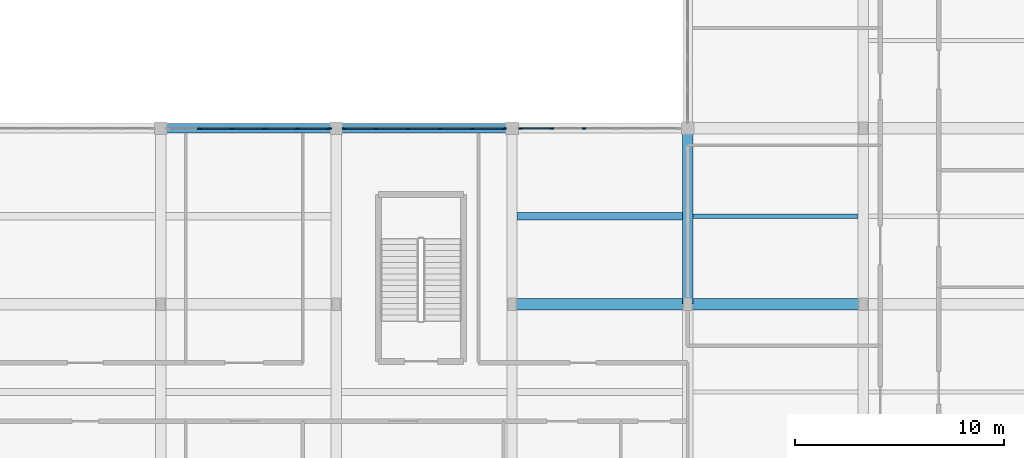
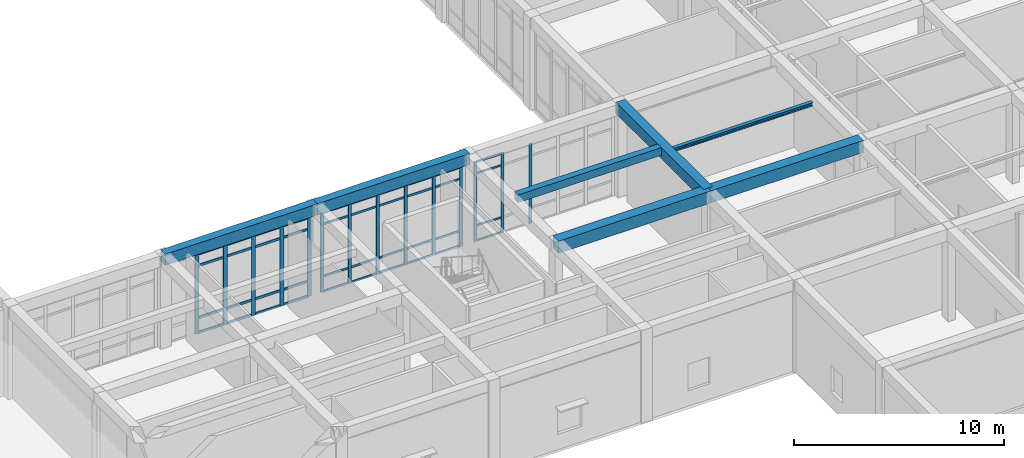
# One storey, part 46 of 157: 54 members, 7 beams, 3 elements without a shape of their own.
"""IFC4 building model written with IfcOpenShell, lengths in metres."""

from ifc_helpers import new_model, si_unit, direction, frame, origin, origin_2d, place, context, subcontext, project, spatial, rectangle, i_section, extrude, material, material_profile, profile_set, type_object, element, aggregate, save


model = new_model("IFC4")

# Units and contexts
model_context = context("Model", 3, precision=1e-05, world=origin(), true_north=direction((0.0, 1.0)))
body_context = subcontext(model_context, "Body", "Model", "MODEL_VIEW")
ifc_project = project(units=[si_unit("LENGTHUNIT", "METRE"), si_unit("AREAUNIT", "SQUARE_METRE"), si_unit("VOLUMEUNIT", "CUBIC_METRE"), si_unit("PLANEANGLEUNIT", "RADIAN"), si_unit("MASSUNIT", "GRAM", prefix="KILO")], contexts=[model_context])

# Site, building, storey
site_placement = place(None, origin())
site = spatial("IfcSite", under=ifc_project, at=site_placement, CompositionType="ELEMENT")
building_placement = place(site_placement, origin())
building = spatial("IfcBuilding", under=site, at=building_placement, Name="Varncliffe General Hospital", CompositionType="ELEMENT")
storey_placement = place(building_placement, frame((0.0, 0.0, 5.39990234375)))
storey = spatial("IfcBuildingStorey", under=building, at=storey_placement, Name="L01", CompositionType="ELEMENT", Elevation=5.39990234375)

# Beams
ifc_material_1 = material(Name="Concrete C35/45 (CSA A23.1 35 MPa)", Category="concrete")
ifc_material_profile_1 = material_profile(ifc_material_1, rectangle(XDim=0.5, YDim=0.64990234375, at=origin_2d()), Name="RC 500x650")
ifc_profile_set_1 = profile_set([ifc_material_profile_1], Name="Concrete C35/45 (CSA A23.1 35 MPa)")
beam_type_1 = type_object("IfcBeamType", Name="Beam B29 (Int RC 500x650)", PredefinedType="BEAM", material=ifc_profile_set_1)
beam_1_placement = place(storey_placement, frame((151.199951171875, 32.39990234375, 5.0751953125), z_axis=(0.0, 1.0, 0.0), x_axis=(-1.0, 0.0, 0.0)))
element("IfcBeam", 1, at=beam_1_placement, inside=storey, type_object=beam_type_1, Name="L01 Primary Beam B29-464", PredefinedType="BEAM", context=body_context, shape_type="SweptSolid", body=[
    extrude(rectangle(XDim=0.5, YDim=0.64990234375, at=origin_2d()), origin(), (0.0, 0.0, 1.0), 8.400146484375),
])
ifc_material_profile_2 = material_profile(ifc_material_1, rectangle(XDim=0.550048828125, YDim=0.699951171875, at=origin_2d()), Name="RC 550x700")
ifc_profile_set_2 = profile_set([ifc_material_profile_2], Name="Concrete C35/45 (CSA A23.1 35 MPa)")
beam_type_2 = type_object("IfcBeamType", Name="Beam B35 (Int RC 550x700)", PredefinedType="BEAM", material=ifc_profile_set_2)
beam_2_placement = place(storey_placement, frame((142.800048828125, 32.39990234375, 5.050048828125), z_axis=(1.0, 0.0, 0.0), x_axis=(0.0, 1.0, 0.0)))
element("IfcBeam", 2, at=beam_2_placement, inside=storey, type_object=beam_type_2, Name="L01 Primary Beam B35-49", PredefinedType="BEAM", context=body_context, shape_type="SweptSolid", body=[
    extrude(rectangle(XDim=0.550048828125, YDim=0.699951171875, at=origin_2d()), origin(), (0.0, 0.0, 1.0), 8.39990234375),
])
beam_3_placement = place(storey_placement, frame((151.199951171875, 32.39990234375, 5.050048828125), z_axis=(1.0, 0.0, 0.0), x_axis=(0.0, 1.0, 0.0)))
element("IfcBeam", 3, at=beam_3_placement, inside=storey, type_object=beam_type_2, Name="L01 Primary Beam B35-50", PredefinedType="BEAM", context=body_context, shape_type="SweptSolid", body=[
    extrude(rectangle(XDim=0.550048828125, YDim=0.699951171875, at=origin_2d()), origin(), (0.0, 0.0, 1.0), 8.400146484375),
])

# Curtain wall, members
ifc_material_2 = material(Name="Triple low-E argon insulated vision glazing", Category="glass")
curtain_wall_type_1 = type_object("IfcCurtainWallType", Name="Unitised Glazed Curtain Wall CW70 (7724x4640)", PredefinedType="USERDEFINED", material=ifc_material_2)
curtain_wall_1_placement = place(storey_placement, origin())
curtain_wall_1 = element("IfcCurtainWall", 4, at=curtain_wall_1_placement, inside=storey, type_object=curtain_wall_type_1, Name="L01 Glazed Curtain Wall CW70-61", ObjectType="GLAZED CURTAIN WALL", PredefinedType="USERDEFINED")
ifc_material_3 = material(Name="Dark bronze thermally broken aluminium framing", Category="aluminium")
ifc_material_profile_3 = material_profile(ifc_material_3, rectangle(XDim=0.074951171875, YDim=0.179931640625, at=origin_2d()), Name="ALU 75x180")
ifc_profile_set_3 = profile_set([ifc_material_profile_3], Name="Dark bronze thermally broken aluminium framing")
member_type_1 = type_object("IfcMemberType", Name="Curtain Wall Mullion CM44 (ALU 75x180)", PredefinedType="MULLION", material=ifc_profile_set_3)
member_1_placement = place(storey_placement, frame((134.775390625, 40.800048828125, 0.0), z_axis=(0.0, 0.0, 1.0), x_axis=(0.0, 1.0, 0.0)))
member_1 = element("IfcMember", 5, at=member_1_placement, type_object=member_type_1, Name="CW70 mullion 1", PredefinedType="MULLION", context=body_context, shape_type="SweptSolid", body=[
    extrude(rectangle(XDim=0.074951171875, YDim=0.179931640625, at=origin_2d()), origin(), (0.0, 0.0, 1.0), 4.64013671875),
])
member_2_placement = place(storey_placement, frame((136.28271484375, 40.800048828125, 0.0), z_axis=(0.0, 0.0, 1.0), x_axis=(0.0, 1.0, 0.0)))
member_2 = element("IfcMember", 6, at=member_2_placement, type_object=member_type_1, Name="CW70 mullion 2", PredefinedType="MULLION", context=body_context, shape_type="SweptSolid", body=[
    extrude(rectangle(XDim=0.074951171875, YDim=0.179931640625, at=origin_2d()), origin(), (0.0, 0.0, 1.0), 4.64013671875),
])
member_3_placement = place(storey_placement, frame((137.82763671875, 40.800048828125, 0.0), z_axis=(0.0, 0.0, 1.0), x_axis=(0.0, 1.0, 0.0)))
member_3 = element("IfcMember", 7, at=member_3_placement, type_object=member_type_1, Name="CW70 mullion 3", PredefinedType="MULLION", context=body_context, shape_type="SweptSolid", body=[
    extrude(rectangle(XDim=0.074951171875, YDim=0.179931640625, at=origin_2d()), origin(), (0.0, 0.0, 1.0), 4.64013671875),
])
member_4_placement = place(storey_placement, frame((139.372314453125, 40.800048828125, 0.0), z_axis=(0.0, 0.0, 1.0), x_axis=(0.0, 1.0, 0.0)))
member_4 = element("IfcMember", 8, at=member_4_placement, type_object=member_type_1, Name="CW70 mullion 4", PredefinedType="MULLION", context=body_context, shape_type="SweptSolid", body=[
    extrude(rectangle(XDim=0.074951171875, YDim=0.179931640625, at=origin_2d()), origin(), (0.0, 0.0, 1.0), 4.64013671875),
])
member_5_placement = place(storey_placement, frame((140.917236328125, 40.800048828125, 0.0), z_axis=(0.0, 0.0, 1.0), x_axis=(0.0, 1.0, 0.0)))
member_5 = element("IfcMember", 9, at=member_5_placement, type_object=member_type_1, Name="CW70 mullion 5", PredefinedType="MULLION", context=body_context, shape_type="SweptSolid", body=[
    extrude(rectangle(XDim=0.074951171875, YDim=0.179931640625, at=origin_2d()), origin(), (0.0, 0.0, 1.0), 4.64013671875),
])
member_6_placement = place(storey_placement, frame((142.424560546875, 40.800048828125, 0.0), z_axis=(0.0, 0.0, 1.0), x_axis=(0.0, 1.0, 0.0)))
member_6 = element("IfcMember", 10, at=member_6_placement, type_object=member_type_1, Name="CW70 mullion 6", PredefinedType="MULLION", context=body_context, shape_type="SweptSolid", body=[
    extrude(rectangle(XDim=0.074951171875, YDim=0.179931640625, at=origin_2d()), origin(), (0.0, 0.0, 1.0), 4.64013671875),
])

curtain_wall_type_2 = type_object("IfcCurtainWallType", Name="Unitised Glazed Curtain Wall CW27 (7644x4640)", PredefinedType="USERDEFINED", material=ifc_material_2)
curtain_wall_2_placement = place(storey_placement, origin())
curtain_wall_2 = element("IfcCurtainWall", 11, at=curtain_wall_2_placement, inside=storey, type_object=curtain_wall_type_2, Name="L01 Glazed Curtain Wall CW27-62", ObjectType="GLAZED CURTAIN WALL", PredefinedType="USERDEFINED")
ifc_material_profile_4 = material_profile(ifc_material_3, rectangle(XDim=0.06494140625, YDim=0.159912109375, at=origin_2d()), Name="ALU 65x160")
ifc_profile_set_4 = profile_set([ifc_material_profile_4], Name="Dark bronze thermally broken aluminium framing")
member_type_2 = type_object("IfcMemberType", Name="Curtain Wall Mullion CM65 (ALU 65x160)", PredefinedType="MULLION", material=ifc_profile_set_4)
member_7_placement = place(storey_placement, frame((143.21044921875, 40.800048828125, 0.0), z_axis=(0.0, 0.0, 1.0), x_axis=(0.0, 1.0, 0.0)))
member_7 = element("IfcMember", 12, at=member_7_placement, type_object=member_type_2, Name="CW27 mullion 1", PredefinedType="MULLION", context=body_context, shape_type="SweptSolid", body=[
    extrude(rectangle(XDim=0.06494140625, YDim=0.159912109375, at=origin_2d()), origin(), (0.0, 0.0, 1.0), 4.64013671875),
])
member_8_placement = place(storey_placement, frame((144.706787109375, 40.800048828125, 0.0), z_axis=(0.0, 0.0, 1.0), x_axis=(0.0, 1.0, 0.0)))
member_8 = element("IfcMember", 13, at=member_8_placement, type_object=member_type_2, Name="CW27 mullion 2", PredefinedType="MULLION", context=body_context, shape_type="SweptSolid", body=[
    extrude(rectangle(XDim=0.06494140625, YDim=0.159912109375, at=origin_2d()), origin(), (0.0, 0.0, 1.0), 4.64013671875),
])
member_9_placement = place(storey_placement, frame((146.235595703125, 40.800048828125, 0.0), z_axis=(0.0, 0.0, 1.0), x_axis=(0.0, 1.0, 0.0)))
member_9 = element("IfcMember", 14, at=member_9_placement, type_object=member_type_2, Name="CW27 mullion 3", PredefinedType="MULLION", context=body_context, shape_type="SweptSolid", body=[
    extrude(rectangle(XDim=0.06494140625, YDim=0.159912109375, at=origin_2d()), origin(), (0.0, 0.0, 1.0), 4.64013671875),
])

curtain_wall_type_3 = type_object("IfcCurtainWallType", Name="Unitised Glazed Curtain Wall CW85 (7804x4640)", PredefinedType="USERDEFINED", material=ifc_material_2)
curtain_wall_3_placement = place(storey_placement, origin())
curtain_wall_3 = element("IfcCurtainWall", 15, at=curtain_wall_3_placement, inside=storey, type_object=curtain_wall_type_3, Name="L01 Glazed Curtain Wall CW85-60", ObjectType="GLAZED CURTAIN WALL", PredefinedType="USERDEFINED")
ifc_material_profile_5 = material_profile(ifc_material_3, rectangle(XDim=0.074951171875, YDim=0.219970703125, at=origin_2d()), Name="ALU 75x220")
ifc_profile_set_5 = profile_set([ifc_material_profile_5], Name="Dark bronze thermally broken aluminium framing")
member_type_3 = type_object("IfcMemberType", Name="Curtain Wall Mullion CM74 (ALU 75x220)", PredefinedType="MULLION", material=ifc_profile_set_5)
member_10_placement = place(storey_placement, frame((127.85888671875, 40.800048828125, 0.0), z_axis=(0.0, 0.0, 1.0), x_axis=(0.0, 1.0, 0.0)))
member_10 = element("IfcMember", 16, at=member_10_placement, type_object=member_type_3, Name="CW85 mullion 2", PredefinedType="MULLION", context=body_context, shape_type="SweptSolid", body=[
    extrude(rectangle(XDim=0.074951171875, YDim=0.219970703125, at=origin_2d()), origin(), (0.0, 0.0, 1.0), 4.64013671875),
])
member_11_placement = place(storey_placement, frame((129.419677734375, 40.800048828125, 0.0), z_axis=(0.0, 0.0, 1.0), x_axis=(0.0, 1.0, 0.0)))
member_11 = element("IfcMember", 17, at=member_11_placement, type_object=member_type_3, Name="CW85 mullion 3", PredefinedType="MULLION", context=body_context, shape_type="SweptSolid", body=[
    extrude(rectangle(XDim=0.074951171875, YDim=0.219970703125, at=origin_2d()), origin(), (0.0, 0.0, 1.0), 4.64013671875),
])
member_12_placement = place(storey_placement, frame((130.98046875, 40.800048828125, 0.0), z_axis=(0.0, 0.0, 1.0), x_axis=(0.0, 1.0, 0.0)))
member_12 = element("IfcMember", 18, at=member_12_placement, type_object=member_type_3, Name="CW85 mullion 4", PredefinedType="MULLION", context=body_context, shape_type="SweptSolid", body=[
    extrude(rectangle(XDim=0.074951171875, YDim=0.219970703125, at=origin_2d()), origin(), (0.0, 0.0, 1.0), 4.64013671875),
])
member_13_placement = place(storey_placement, frame((132.541259765625, 40.800048828125, 0.0), z_axis=(0.0, 0.0, 1.0), x_axis=(0.0, 1.0, 0.0)))
member_13 = element("IfcMember", 19, at=member_13_placement, type_object=member_type_3, Name="CW85 mullion 5", PredefinedType="MULLION", context=body_context, shape_type="SweptSolid", body=[
    extrude(rectangle(XDim=0.074951171875, YDim=0.219970703125, at=origin_2d()), origin(), (0.0, 0.0, 1.0), 4.64013671875),
])
member_14_placement = place(storey_placement, frame((134.064453125, 40.800048828125, 0.0), z_axis=(0.0, 0.0, 1.0), x_axis=(0.0, 1.0, 0.0)))
member_14 = element("IfcMember", 20, at=member_14_placement, type_object=member_type_3, Name="CW85 mullion 6", PredefinedType="MULLION", context=body_context, shape_type="SweptSolid", body=[
    extrude(rectangle(XDim=0.074951171875, YDim=0.219970703125, at=origin_2d()), origin(), (0.0, 0.0, 1.0), 4.64013671875),
])

# Member
ifc_material_profile_6 = material_profile(ifc_material_3, rectangle(XDim=0.06005859375, YDim=0.1201171875, at=origin_2d()), Name="ALU 60x120")
ifc_profile_set_6 = profile_set([ifc_material_profile_6], Name="Dark bronze thermally broken aluminium framing")
member_type_4 = type_object("IfcMemberType", Name="Curtain Wall Transom CT14 (ALU 60x120)", PredefinedType="USERDEFINED", material=ifc_profile_set_6)
member_15_placement = place(storey_placement, frame((134.81298828125, 40.800048828125, 0.030029296875), z_axis=(1.0, 0.0, 0.0), x_axis=(0.0, 1.0, 0.0)))
member_15 = element("IfcMember", 21, at=member_15_placement, type_object=member_type_4, Name="CW70 transom 1.1", ObjectType="TRANSOM", PredefinedType="USERDEFINED", context=body_context, shape_type="SweptSolid", body=[
    extrude(rectangle(XDim=0.06005859375, YDim=0.1201171875, at=origin_2d()), origin(), (0.0, 0.0, 1.0), 1.432373046875),
])

member_16_placement = place(storey_placement, frame((134.81298828125, 40.800048828125, 0.900146484375), z_axis=(1.0, 0.0, 0.0), x_axis=(0.0, 1.0, 0.0)))
member_16 = element("IfcMember", 22, at=member_16_placement, type_object=member_type_4, Name="CW70 transom 1.2", ObjectType="TRANSOM", PredefinedType="USERDEFINED", context=body_context, shape_type="SweptSolid", body=[
    extrude(rectangle(XDim=0.06005859375, YDim=0.1201171875, at=origin_2d()), origin(), (0.0, 0.0, 1.0), 1.432373046875),
])

member_17_placement = place(storey_placement, frame((134.81298828125, 40.800048828125, 3.940185546875), z_axis=(1.0, 0.0, 0.0), x_axis=(0.0, 1.0, 0.0)))
member_17 = element("IfcMember", 23, at=member_17_placement, type_object=member_type_4, Name="CW70 transom 1.3", ObjectType="TRANSOM", PredefinedType="USERDEFINED", context=body_context, shape_type="SweptSolid", body=[
    extrude(rectangle(XDim=0.06005859375, YDim=0.1201171875, at=origin_2d()), origin(), (0.0, 0.0, 1.0), 1.432373046875),
])

member_18_placement = place(storey_placement, frame((134.81298828125, 40.800048828125, 4.610107421875), z_axis=(1.0, 0.0, 0.0), x_axis=(0.0, 1.0, 0.0)))
member_18 = element("IfcMember", 24, at=member_18_placement, type_object=member_type_4, Name="CW70 transom 1.4", ObjectType="TRANSOM", PredefinedType="USERDEFINED", context=body_context, shape_type="SweptSolid", body=[
    extrude(rectangle(XDim=0.06005859375, YDim=0.1201171875, at=origin_2d()), origin(), (0.0, 0.0, 1.0), 1.432373046875),
])

member_19_placement = place(storey_placement, frame((136.3203125, 40.800048828125, 0.030029296875), z_axis=(1.0, 0.0, 0.0), x_axis=(0.0, 1.0, 0.0)))
member_19 = element("IfcMember", 25, at=member_19_placement, type_object=member_type_4, Name="CW70 transom 2.1", ObjectType="TRANSOM", PredefinedType="USERDEFINED", context=body_context, shape_type="SweptSolid", body=[
    extrude(rectangle(XDim=0.06005859375, YDim=0.1201171875, at=origin_2d()), origin(), (0.0, 0.0, 1.0), 1.4697265625),
])

member_20_placement = place(storey_placement, frame((136.3203125, 40.800048828125, 0.900146484375), z_axis=(1.0, 0.0, 0.0), x_axis=(0.0, 1.0, 0.0)))
member_20 = element("IfcMember", 26, at=member_20_placement, type_object=member_type_4, Name="CW70 transom 2.2", ObjectType="TRANSOM", PredefinedType="USERDEFINED", context=body_context, shape_type="SweptSolid", body=[
    extrude(rectangle(XDim=0.06005859375, YDim=0.1201171875, at=origin_2d()), origin(), (0.0, 0.0, 1.0), 1.4697265625),
])

member_21_placement = place(storey_placement, frame((136.3203125, 40.800048828125, 3.940185546875), z_axis=(1.0, 0.0, 0.0), x_axis=(0.0, 1.0, 0.0)))
member_21 = element("IfcMember", 27, at=member_21_placement, type_object=member_type_4, Name="CW70 transom 2.3", ObjectType="TRANSOM", PredefinedType="USERDEFINED", context=body_context, shape_type="SweptSolid", body=[
    extrude(rectangle(XDim=0.06005859375, YDim=0.1201171875, at=origin_2d()), origin(), (0.0, 0.0, 1.0), 1.4697265625),
])

member_22_placement = place(storey_placement, frame((136.3203125, 40.800048828125, 4.610107421875), z_axis=(1.0, 0.0, 0.0), x_axis=(0.0, 1.0, 0.0)))
member_22 = element("IfcMember", 28, at=member_22_placement, type_object=member_type_4, Name="CW70 transom 2.4", ObjectType="TRANSOM", PredefinedType="USERDEFINED", context=body_context, shape_type="SweptSolid", body=[
    extrude(rectangle(XDim=0.06005859375, YDim=0.1201171875, at=origin_2d()), origin(), (0.0, 0.0, 1.0), 1.4697265625),
])

member_23_placement = place(storey_placement, frame((137.864990234375, 40.800048828125, 0.030029296875), z_axis=(1.0, 0.0, 0.0), x_axis=(0.0, 1.0, 0.0)))
member_23 = element("IfcMember", 29, at=member_23_placement, type_object=member_type_4, Name="CW70 transom 3.1", ObjectType="TRANSOM", PredefinedType="USERDEFINED", context=body_context, shape_type="SweptSolid", body=[
    extrude(rectangle(XDim=0.06005859375, YDim=0.1201171875, at=origin_2d()), origin(), (0.0, 0.0, 1.0), 1.469970703125),
])

member_24_placement = place(storey_placement, frame((137.864990234375, 40.800048828125, 0.900146484375), z_axis=(1.0, 0.0, 0.0), x_axis=(0.0, 1.0, 0.0)))
member_24 = element("IfcMember", 30, at=member_24_placement, type_object=member_type_4, Name="CW70 transom 3.2", ObjectType="TRANSOM", PredefinedType="USERDEFINED", context=body_context, shape_type="SweptSolid", body=[
    extrude(rectangle(XDim=0.06005859375, YDim=0.1201171875, at=origin_2d()), origin(), (0.0, 0.0, 1.0), 1.469970703125),
])

member_25_placement = place(storey_placement, frame((137.864990234375, 40.800048828125, 3.940185546875), z_axis=(1.0, 0.0, 0.0), x_axis=(0.0, 1.0, 0.0)))
member_25 = element("IfcMember", 31, at=member_25_placement, type_object=member_type_4, Name="CW70 transom 3.3", ObjectType="TRANSOM", PredefinedType="USERDEFINED", context=body_context, shape_type="SweptSolid", body=[
    extrude(rectangle(XDim=0.06005859375, YDim=0.1201171875, at=origin_2d()), origin(), (0.0, 0.0, 1.0), 1.469970703125),
])

member_26_placement = place(storey_placement, frame((137.864990234375, 40.800048828125, 4.610107421875), z_axis=(1.0, 0.0, 0.0), x_axis=(0.0, 1.0, 0.0)))
member_26 = element("IfcMember", 32, at=member_26_placement, type_object=member_type_4, Name="CW70 transom 3.4", ObjectType="TRANSOM", PredefinedType="USERDEFINED", context=body_context, shape_type="SweptSolid", body=[
    extrude(rectangle(XDim=0.06005859375, YDim=0.1201171875, at=origin_2d()), origin(), (0.0, 0.0, 1.0), 1.469970703125),
])

member_27_placement = place(storey_placement, frame((139.409912109375, 40.800048828125, 0.030029296875), z_axis=(1.0, 0.0, 0.0), x_axis=(0.0, 1.0, 0.0)))
member_27 = element("IfcMember", 33, at=member_27_placement, type_object=member_type_4, Name="CW70 transom 4.1", ObjectType="TRANSOM", PredefinedType="USERDEFINED", context=body_context, shape_type="SweptSolid", body=[
    extrude(rectangle(XDim=0.06005859375, YDim=0.1201171875, at=origin_2d()), origin(), (0.0, 0.0, 1.0), 1.4697265625),
])

member_28_placement = place(storey_placement, frame((139.409912109375, 40.800048828125, 0.900146484375), z_axis=(1.0, 0.0, 0.0), x_axis=(0.0, 1.0, 0.0)))
member_28 = element("IfcMember", 34, at=member_28_placement, type_object=member_type_4, Name="CW70 transom 4.2", ObjectType="TRANSOM", PredefinedType="USERDEFINED", context=body_context, shape_type="SweptSolid", body=[
    extrude(rectangle(XDim=0.06005859375, YDim=0.1201171875, at=origin_2d()), origin(), (0.0, 0.0, 1.0), 1.4697265625),
])

member_29_placement = place(storey_placement, frame((139.409912109375, 40.800048828125, 3.940185546875), z_axis=(1.0, 0.0, 0.0), x_axis=(0.0, 1.0, 0.0)))
member_29 = element("IfcMember", 35, at=member_29_placement, type_object=member_type_4, Name="CW70 transom 4.3", ObjectType="TRANSOM", PredefinedType="USERDEFINED", context=body_context, shape_type="SweptSolid", body=[
    extrude(rectangle(XDim=0.06005859375, YDim=0.1201171875, at=origin_2d()), origin(), (0.0, 0.0, 1.0), 1.4697265625),
])

member_30_placement = place(storey_placement, frame((139.409912109375, 40.800048828125, 4.610107421875), z_axis=(1.0, 0.0, 0.0), x_axis=(0.0, 1.0, 0.0)))
member_30 = element("IfcMember", 36, at=member_30_placement, type_object=member_type_4, Name="CW70 transom 4.4", ObjectType="TRANSOM", PredefinedType="USERDEFINED", context=body_context, shape_type="SweptSolid", body=[
    extrude(rectangle(XDim=0.06005859375, YDim=0.1201171875, at=origin_2d()), origin(), (0.0, 0.0, 1.0), 1.4697265625),
])

member_31_placement = place(storey_placement, frame((140.95458984375, 40.800048828125, 0.030029296875), z_axis=(1.0, 0.0, 0.0), x_axis=(0.0, 1.0, 0.0)))
member_31 = element("IfcMember", 37, at=member_31_placement, type_object=member_type_4, Name="CW70 transom 5.1", ObjectType="TRANSOM", PredefinedType="USERDEFINED", context=body_context, shape_type="SweptSolid", body=[
    extrude(rectangle(XDim=0.06005859375, YDim=0.1201171875, at=origin_2d()), origin(), (0.0, 0.0, 1.0), 1.432373046875),
])

member_32_placement = place(storey_placement, frame((140.95458984375, 40.800048828125, 0.900146484375), z_axis=(1.0, 0.0, 0.0), x_axis=(0.0, 1.0, 0.0)))
member_32 = element("IfcMember", 38, at=member_32_placement, type_object=member_type_4, Name="CW70 transom 5.2", ObjectType="TRANSOM", PredefinedType="USERDEFINED", context=body_context, shape_type="SweptSolid", body=[
    extrude(rectangle(XDim=0.06005859375, YDim=0.1201171875, at=origin_2d()), origin(), (0.0, 0.0, 1.0), 1.432373046875),
])

member_33_placement = place(storey_placement, frame((140.95458984375, 40.800048828125, 3.940185546875), z_axis=(1.0, 0.0, 0.0), x_axis=(0.0, 1.0, 0.0)))
member_33 = element("IfcMember", 39, at=member_33_placement, type_object=member_type_4, Name="CW70 transom 5.3", ObjectType="TRANSOM", PredefinedType="USERDEFINED", context=body_context, shape_type="SweptSolid", body=[
    extrude(rectangle(XDim=0.06005859375, YDim=0.1201171875, at=origin_2d()), origin(), (0.0, 0.0, 1.0), 1.432373046875),
])

member_34_placement = place(storey_placement, frame((140.95458984375, 40.800048828125, 4.610107421875), z_axis=(1.0, 0.0, 0.0), x_axis=(0.0, 1.0, 0.0)))
member_34 = element("IfcMember", 40, at=member_34_placement, type_object=member_type_4, Name="CW70 transom 5.4", ObjectType="TRANSOM", PredefinedType="USERDEFINED", context=body_context, shape_type="SweptSolid", body=[
    extrude(rectangle(XDim=0.06005859375, YDim=0.1201171875, at=origin_2d()), origin(), (0.0, 0.0, 1.0), 1.432373046875),
])

aggregate(curtain_wall_1, [member_1, member_2, member_3, member_4, member_5, member_6, member_15, member_16, member_17, member_18, member_19, member_20, member_21, member_22, member_23, member_24, member_25, member_26, member_27, member_28, member_29, member_30, member_31, member_32, member_33, member_34])

ifc_material_profile_7 = material_profile(ifc_material_3, rectangle(XDim=0.06005859375, YDim=0.10009765625, at=origin_2d()), Name="ALU 60x100")
ifc_profile_set_7 = profile_set([ifc_material_profile_7], Name="Dark bronze thermally broken aluminium framing")
member_type_5 = type_object("IfcMemberType", Name="Curtain Wall Transom CT18 (ALU 60x100)", PredefinedType="USERDEFINED", material=ifc_profile_set_7)
member_35_placement = place(storey_placement, frame((143.242919921875, 40.800048828125, 0.030029296875), z_axis=(1.0, 0.0, 0.0), x_axis=(0.0, 1.0, 0.0)))
member_35 = element("IfcMember", 41, at=member_35_placement, type_object=member_type_5, Name="CW27 transom 1.1", ObjectType="TRANSOM", PredefinedType="USERDEFINED", context=body_context, shape_type="SweptSolid", body=[
    extrude(rectangle(XDim=0.06005859375, YDim=0.10009765625, at=origin_2d()), origin(), (0.0, 0.0, 1.0), 1.431396484375),
])

member_36_placement = place(storey_placement, frame((143.242919921875, 40.800048828125, 0.900146484375), z_axis=(1.0, 0.0, 0.0), x_axis=(0.0, 1.0, 0.0)))
member_36 = element("IfcMember", 42, at=member_36_placement, type_object=member_type_5, Name="CW27 transom 1.2", ObjectType="TRANSOM", PredefinedType="USERDEFINED", context=body_context, shape_type="SweptSolid", body=[
    extrude(rectangle(XDim=0.06005859375, YDim=0.10009765625, at=origin_2d()), origin(), (0.0, 0.0, 1.0), 1.431396484375),
])

member_37_placement = place(storey_placement, frame((143.242919921875, 40.800048828125, 3.940185546875), z_axis=(1.0, 0.0, 0.0), x_axis=(0.0, 1.0, 0.0)))
member_37 = element("IfcMember", 43, at=member_37_placement, type_object=member_type_5, Name="CW27 transom 1.3", ObjectType="TRANSOM", PredefinedType="USERDEFINED", context=body_context, shape_type="SweptSolid", body=[
    extrude(rectangle(XDim=0.06005859375, YDim=0.10009765625, at=origin_2d()), origin(), (0.0, 0.0, 1.0), 1.431396484375),
])

member_38_placement = place(storey_placement, frame((143.242919921875, 40.800048828125, 4.610107421875), z_axis=(1.0, 0.0, 0.0), x_axis=(0.0, 1.0, 0.0)))
member_38 = element("IfcMember", 44, at=member_38_placement, type_object=member_type_5, Name="CW27 transom 1.4", ObjectType="TRANSOM", PredefinedType="USERDEFINED", context=body_context, shape_type="SweptSolid", body=[
    extrude(rectangle(XDim=0.06005859375, YDim=0.10009765625, at=origin_2d()), origin(), (0.0, 0.0, 1.0), 1.431396484375),
])

aggregate(curtain_wall_2, [member_7, member_8, member_9, member_35, member_36, member_37, member_38])

ifc_material_profile_8 = material_profile(ifc_material_3, rectangle(XDim=0.06494140625, YDim=0.139892578125, at=origin_2d()), Name="ALU 65x140")
ifc_profile_set_8 = profile_set([ifc_material_profile_8], Name="Dark bronze thermally broken aluminium framing")
member_type_6 = type_object("IfcMemberType", Name="Curtain Wall Transom CT69 (ALU 65x140)", PredefinedType="USERDEFINED", material=ifc_profile_set_8)
member_39_placement = place(storey_placement, frame((127.896240234375, 40.800048828125, 0.03271484375), z_axis=(1.0, 0.0, 0.0), x_axis=(0.0, 1.0, 0.0)))
member_39 = element("IfcMember", 45, at=member_39_placement, type_object=member_type_6, Name="CW85 transom 2.1", ObjectType="TRANSOM", PredefinedType="USERDEFINED", context=body_context, shape_type="SweptSolid", body=[
    extrude(rectangle(XDim=0.06494140625, YDim=0.139892578125, at=origin_2d()), origin(), (0.0, 0.0, 1.0), 1.48583984375),
])

member_40_placement = place(storey_placement, frame((127.896240234375, 40.800048828125, 0.900146484375), z_axis=(1.0, 0.0, 0.0), x_axis=(0.0, 1.0, 0.0)))
member_40 = element("IfcMember", 46, at=member_40_placement, type_object=member_type_6, Name="CW85 transom 2.2", ObjectType="TRANSOM", PredefinedType="USERDEFINED", context=body_context, shape_type="SweptSolid", body=[
    extrude(rectangle(XDim=0.06494140625, YDim=0.139892578125, at=origin_2d()), origin(), (0.0, 0.0, 1.0), 1.48583984375),
])

member_41_placement = place(storey_placement, frame((127.896240234375, 40.800048828125, 3.940185546875), z_axis=(1.0, 0.0, 0.0), x_axis=(0.0, 1.0, 0.0)))
member_41 = element("IfcMember", 47, at=member_41_placement, type_object=member_type_6, Name="CW85 transom 2.3", ObjectType="TRANSOM", PredefinedType="USERDEFINED", context=body_context, shape_type="SweptSolid", body=[
    extrude(rectangle(XDim=0.06494140625, YDim=0.139892578125, at=origin_2d()), origin(), (0.0, 0.0, 1.0), 1.48583984375),
])

member_42_placement = place(storey_placement, frame((127.896240234375, 40.800048828125, 4.607666015625), z_axis=(1.0, 0.0, 0.0), x_axis=(0.0, 1.0, 0.0)))
member_42 = element("IfcMember", 48, at=member_42_placement, type_object=member_type_6, Name="CW85 transom 2.4", ObjectType="TRANSOM", PredefinedType="USERDEFINED", context=body_context, shape_type="SweptSolid", body=[
    extrude(rectangle(XDim=0.06494140625, YDim=0.139892578125, at=origin_2d()), origin(), (0.0, 0.0, 1.0), 1.48583984375),
])

member_43_placement = place(storey_placement, frame((129.45703125, 40.800048828125, 0.03271484375), z_axis=(1.0, 0.0, 0.0), x_axis=(0.0, 1.0, 0.0)))
member_43 = element("IfcMember", 49, at=member_43_placement, type_object=member_type_6, Name="CW85 transom 3.1", ObjectType="TRANSOM", PredefinedType="USERDEFINED", context=body_context, shape_type="SweptSolid", body=[
    extrude(rectangle(XDim=0.06494140625, YDim=0.139892578125, at=origin_2d()), origin(), (0.0, 0.0, 1.0), 1.48583984375),
])

member_44_placement = place(storey_placement, frame((129.45703125, 40.800048828125, 0.900146484375), z_axis=(1.0, 0.0, 0.0), x_axis=(0.0, 1.0, 0.0)))
member_44 = element("IfcMember", 50, at=member_44_placement, type_object=member_type_6, Name="CW85 transom 3.2", ObjectType="TRANSOM", PredefinedType="USERDEFINED", context=body_context, shape_type="SweptSolid", body=[
    extrude(rectangle(XDim=0.06494140625, YDim=0.139892578125, at=origin_2d()), origin(), (0.0, 0.0, 1.0), 1.48583984375),
])

member_45_placement = place(storey_placement, frame((129.45703125, 40.800048828125, 3.940185546875), z_axis=(1.0, 0.0, 0.0), x_axis=(0.0, 1.0, 0.0)))
member_45 = element("IfcMember", 51, at=member_45_placement, type_object=member_type_6, Name="CW85 transom 3.3", ObjectType="TRANSOM", PredefinedType="USERDEFINED", context=body_context, shape_type="SweptSolid", body=[
    extrude(rectangle(XDim=0.06494140625, YDim=0.139892578125, at=origin_2d()), origin(), (0.0, 0.0, 1.0), 1.48583984375),
])

member_46_placement = place(storey_placement, frame((129.45703125, 40.800048828125, 4.607666015625), z_axis=(1.0, 0.0, 0.0), x_axis=(0.0, 1.0, 0.0)))
member_46 = element("IfcMember", 52, at=member_46_placement, type_object=member_type_6, Name="CW85 transom 3.4", ObjectType="TRANSOM", PredefinedType="USERDEFINED", context=body_context, shape_type="SweptSolid", body=[
    extrude(rectangle(XDim=0.06494140625, YDim=0.139892578125, at=origin_2d()), origin(), (0.0, 0.0, 1.0), 1.48583984375),
])

member_47_placement = place(storey_placement, frame((131.017822265625, 40.800048828125, 0.03271484375), z_axis=(1.0, 0.0, 0.0), x_axis=(0.0, 1.0, 0.0)))
member_47 = element("IfcMember", 53, at=member_47_placement, type_object=member_type_6, Name="CW85 transom 4.1", ObjectType="TRANSOM", PredefinedType="USERDEFINED", context=body_context, shape_type="SweptSolid", body=[
    extrude(rectangle(XDim=0.06494140625, YDim=0.139892578125, at=origin_2d()), origin(), (0.0, 0.0, 1.0), 1.48583984375),
])

member_48_placement = place(storey_placement, frame((131.017822265625, 40.800048828125, 0.900146484375), z_axis=(1.0, 0.0, 0.0), x_axis=(0.0, 1.0, 0.0)))
member_48 = element("IfcMember", 54, at=member_48_placement, type_object=member_type_6, Name="CW85 transom 4.2", ObjectType="TRANSOM", PredefinedType="USERDEFINED", context=body_context, shape_type="SweptSolid", body=[
    extrude(rectangle(XDim=0.06494140625, YDim=0.139892578125, at=origin_2d()), origin(), (0.0, 0.0, 1.0), 1.48583984375),
])

member_49_placement = place(storey_placement, frame((131.017822265625, 40.800048828125, 3.940185546875), z_axis=(1.0, 0.0, 0.0), x_axis=(0.0, 1.0, 0.0)))
member_49 = element("IfcMember", 55, at=member_49_placement, type_object=member_type_6, Name="CW85 transom 4.3", ObjectType="TRANSOM", PredefinedType="USERDEFINED", context=body_context, shape_type="SweptSolid", body=[
    extrude(rectangle(XDim=0.06494140625, YDim=0.139892578125, at=origin_2d()), origin(), (0.0, 0.0, 1.0), 1.48583984375),
])

member_50_placement = place(storey_placement, frame((131.017822265625, 40.800048828125, 4.607666015625), z_axis=(1.0, 0.0, 0.0), x_axis=(0.0, 1.0, 0.0)))
member_50 = element("IfcMember", 56, at=member_50_placement, type_object=member_type_6, Name="CW85 transom 4.4", ObjectType="TRANSOM", PredefinedType="USERDEFINED", context=body_context, shape_type="SweptSolid", body=[
    extrude(rectangle(XDim=0.06494140625, YDim=0.139892578125, at=origin_2d()), origin(), (0.0, 0.0, 1.0), 1.48583984375),
])

member_51_placement = place(storey_placement, frame((132.57861328125, 40.800048828125, 0.03271484375), z_axis=(1.0, 0.0, 0.0), x_axis=(0.0, 1.0, 0.0)))
member_51 = element("IfcMember", 57, at=member_51_placement, type_object=member_type_6, Name="CW85 transom 5.1", ObjectType="TRANSOM", PredefinedType="USERDEFINED", context=body_context, shape_type="SweptSolid", body=[
    extrude(rectangle(XDim=0.06494140625, YDim=0.139892578125, at=origin_2d()), origin(), (0.0, 0.0, 1.0), 1.448486328125),
])

member_52_placement = place(storey_placement, frame((132.57861328125, 40.800048828125, 0.900146484375), z_axis=(1.0, 0.0, 0.0), x_axis=(0.0, 1.0, 0.0)))
member_52 = element("IfcMember", 58, at=member_52_placement, type_object=member_type_6, Name="CW85 transom 5.2", ObjectType="TRANSOM", PredefinedType="USERDEFINED", context=body_context, shape_type="SweptSolid", body=[
    extrude(rectangle(XDim=0.06494140625, YDim=0.139892578125, at=origin_2d()), origin(), (0.0, 0.0, 1.0), 1.448486328125),
])

member_53_placement = place(storey_placement, frame((132.57861328125, 40.800048828125, 3.940185546875), z_axis=(1.0, 0.0, 0.0), x_axis=(0.0, 1.0, 0.0)))
member_53 = element("IfcMember", 59, at=member_53_placement, type_object=member_type_6, Name="CW85 transom 5.3", ObjectType="TRANSOM", PredefinedType="USERDEFINED", context=body_context, shape_type="SweptSolid", body=[
    extrude(rectangle(XDim=0.06494140625, YDim=0.139892578125, at=origin_2d()), origin(), (0.0, 0.0, 1.0), 1.448486328125),
])

member_54_placement = place(storey_placement, frame((132.57861328125, 40.800048828125, 4.607666015625), z_axis=(1.0, 0.0, 0.0), x_axis=(0.0, 1.0, 0.0)))
member_54 = element("IfcMember", 60, at=member_54_placement, type_object=member_type_6, Name="CW85 transom 5.4", ObjectType="TRANSOM", PredefinedType="USERDEFINED", context=body_context, shape_type="SweptSolid", body=[
    extrude(rectangle(XDim=0.06494140625, YDim=0.139892578125, at=origin_2d()), origin(), (0.0, 0.0, 1.0), 1.448486328125),
])

aggregate(curtain_wall_3, [member_10, member_11, member_12, member_13, member_14, member_39, member_40, member_41, member_42, member_43, member_44, member_45, member_46, member_47, member_48, member_49, member_50, member_51, member_52, member_53, member_54])

# Beams
ifc_material_4 = material(Name="Steel S355 (CSA G40.21 350W)", Category="steel")
ifc_material_profile_9 = material_profile(ifc_material_4, i_section(OverallWidth=0.2041015625, OverallDepth=0.2060546875, WebThickness=0.0078125, FlangeThickness=0.0126953125, FilletRadius=0.010986328125, at=origin_2d()), Name="W200x52")
ifc_profile_set_9 = profile_set([ifc_material_profile_9], Name="Steel S355 (CSA G40.21 350W)")
beam_type_3 = type_object("IfcBeamType", Name="Joist J27 (Int W200x52)", PredefinedType="JOIST", material=ifc_profile_set_9)
beam_4_placement = place(storey_placement, frame((151.447998046875, 36.60009765625, 4.93701171875), z_axis=(1.0, 0.0, 0.0), x_axis=(0.0, 1.0, 0.0)))
element("IfcBeam", 61, at=beam_4_placement, inside=storey, type_object=beam_type_3, Name="L01 Secondary Floor Rib J27-73", PredefinedType="JOIST", context=body_context, shape_type="SweptSolid", body=[
    extrude(i_section(OverallWidth=0.2041015625, OverallDepth=0.2060546875, WebThickness=0.0078125, FlangeThickness=0.0126953125, FilletRadius=0.010986328125, at=origin_2d()), origin(), (0.0, 0.0, 1.0), 7.904052734375),
])
ifc_material_profile_10 = material_profile(ifc_material_1, rectangle(XDim=0.35009765625, YDim=0.449951171875, at=origin_2d()), Name="RC 350x450")
ifc_profile_set_10 = profile_set([ifc_material_profile_10], Name="Concrete C35/45 (CSA A23.1 35 MPa)")
beam_type_4 = type_object("IfcBeamType", Name="Joist J55 (Int RC 350x450)", PredefinedType="JOIST", material=ifc_profile_set_10)
beam_5_placement = place(storey_placement, frame((143.048095703125, 36.60009765625, 5.175048828125), z_axis=(1.0, 0.0, 0.0), x_axis=(0.0, 1.0, 0.0)))
element("IfcBeam", 62, at=beam_5_placement, inside=storey, type_object=beam_type_4, Name="L01 Secondary Floor Rib J55-69", PredefinedType="JOIST", context=body_context, shape_type="SweptSolid", body=[
    extrude(rectangle(XDim=0.35009765625, YDim=0.449951171875, at=origin_2d()), origin(), (0.0, 0.0, 1.0), 7.90380859375),
])
ifc_material_profile_11 = material_profile(ifc_material_1, rectangle(XDim=0.449951171875, YDim=0.64990234375, at=origin_2d()), Name="RC 450x650")
ifc_profile_set_11 = profile_set([ifc_material_profile_11], Name="Concrete C35/45 (CSA A23.1 35 MPa)")
beam_type_5 = type_object("IfcBeamType", Name="Spandrel SP38 (Ext RC 450x650B)", PredefinedType="SPANDREL", material=ifc_profile_set_11)
beam_6_placement = place(storey_placement, frame((126.0, 40.800048828125, 5.0751953125), z_axis=(1.0, 0.0, 0.0), x_axis=(0.0, 1.0, 0.0)))
element("IfcBeam", 63, at=beam_6_placement, inside=storey, type_object=beam_type_5, Name="L01 Spandrel Beam SP38-61", PredefinedType="SPANDREL", context=body_context, shape_type="SweptSolid", body=[
    extrude(rectangle(XDim=0.449951171875, YDim=0.64990234375, at=origin_2d()), origin(), (0.0, 0.0, 1.0), 8.39990234375),
])
beam_7_placement = place(storey_placement, frame((134.39990234375, 40.800048828125, 5.0751953125), z_axis=(1.0, 0.0, 0.0), x_axis=(0.0, 1.0, 0.0)))
element("IfcBeam", 64, at=beam_7_placement, inside=storey, type_object=beam_type_5, Name="L01 Spandrel Beam SP38-62", PredefinedType="SPANDREL", context=body_context, shape_type="SweptSolid", body=[
    extrude(rectangle(XDim=0.449951171875, YDim=0.64990234375, at=origin_2d()), origin(), (0.0, 0.0, 1.0), 8.400146484375),
])

save(model, "model.ifc")
